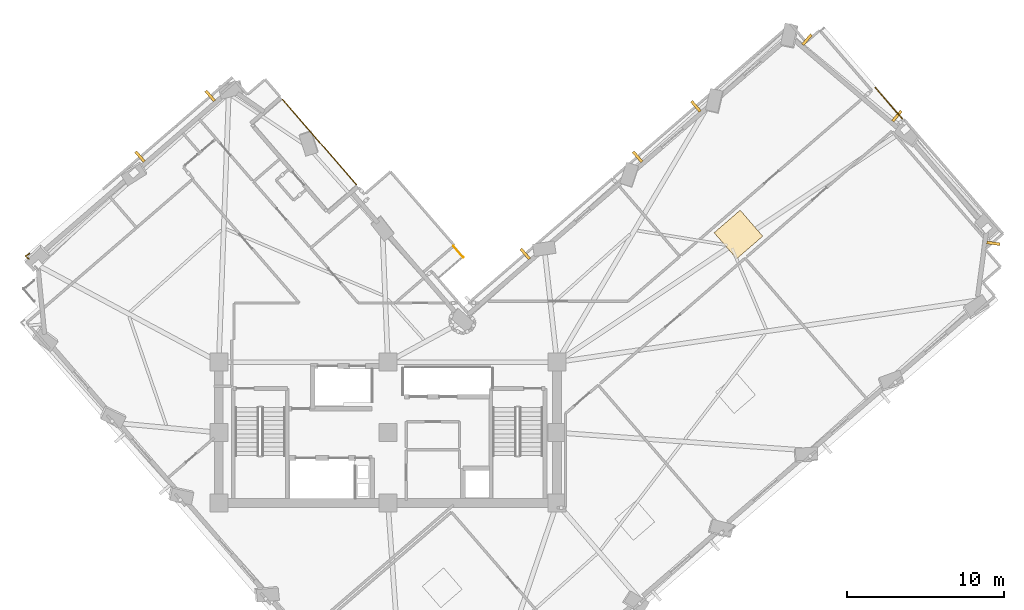
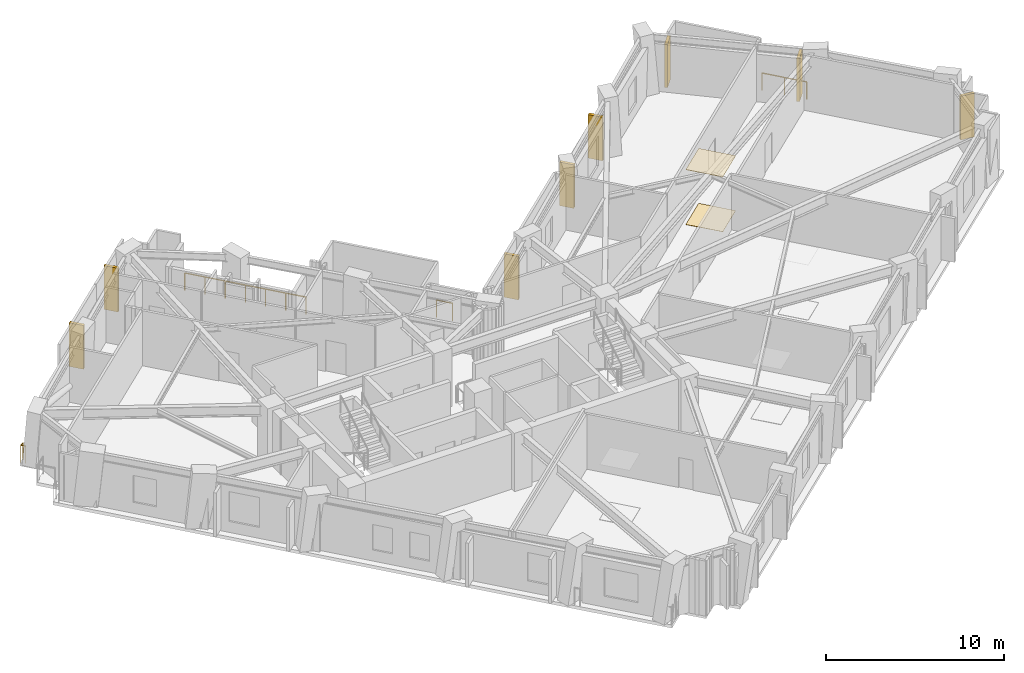
# One storey, part 13 of 14: 8 shading devices, 4 railings, 2 coverings.
"""IFC4 building model written with IfcOpenShell, lengths in metres."""

from ifc_helpers import new_model, si_unit, direction, frame, origin, origin_2d, place, context, subcontext, project, spatial, rectangle, circle, extrude, material, layer, layer_set, type_object, element, save


model = new_model("IFC4")

# Units and contexts
model_context = context("Model", 3, precision=1e-05, world=origin(), true_north=direction((0.0, 1.0)))
body_context = subcontext(model_context, "Body", "Model", "MODEL_VIEW")
ifc_project = project(units=[si_unit("LENGTHUNIT", "METRE"), si_unit("AREAUNIT", "SQUARE_METRE"), si_unit("VOLUMEUNIT", "CUBIC_METRE"), si_unit("PLANEANGLEUNIT", "RADIAN"), si_unit("MASSUNIT", "GRAM", prefix="KILO")], contexts=[model_context])

# Site, building, storey
site_placement = place(None, origin())
site = spatial("IfcSite", under=ifc_project, at=site_placement, CompositionType="ELEMENT")
building_placement = place(site_placement, origin())
building = spatial("IfcBuilding", under=site, at=building_placement, Name="Gaonmaruhae Medical Tower", CompositionType="ELEMENT")
storey_placement = place(building_placement, frame((0.0, 0.0, 197.800048828125)))
storey = spatial("IfcBuildingStorey", under=building, at=storey_placement, Name="L47", CompositionType="ELEMENT", Elevation=197.800048828125)

# Coverings
ifc_material_1 = material(Name="Acoustic mineral ceiling tile", Category="finish")
ifc_layer_1 = layer(ifc_material_1, 0.02490234375)
ifc_layer_set_1 = layer_set([ifc_layer_1], Name="Acoustic mineral ceiling tile")
covering_type_1 = type_object("IfcCoveringType", Name="CLG-01 Antimicrobial Acoustic Mineral Ceiling", PredefinedType="CEILING", material=ifc_layer_set_1)
covering_1_placement = place(storey_placement, frame((47.1923828125, 24.95263671875, 3.7548828125), z_axis=(0.0, 0.0, 1.0), x_axis=(0.756424550435, 0.654080957909, 0.0)))
element("IfcCovering", 1, at=covering_1_placement, inside=storey, type_object=covering_type_1, Name="L47 Clinical Corridor Acoustic Ceiling", PredefinedType="CEILING", context=body_context, shape_type="SweptSolid", body=[
    extrude(rectangle(XDim=2.199951171875, YDim=2.199951171875, at=origin_2d()), origin(), (0.0, 0.0, 1.0), 0.02490234375),
])
ifc_material_2 = material(Name="Seamless clinical vinyl flooring", Category="finish")
ifc_layer_2 = layer(ifc_material_2, 0.014892578125)
ifc_layer_set_2 = layer_set([ifc_layer_2], Name="Seamless clinical vinyl flooring")
covering_type_2 = type_object("IfcCoveringType", Name="FLR-01 Seamless Clinical Antistatic Vinyl Flooring", PredefinedType="FLOORING", material=ifc_layer_set_2)
covering_2_placement = place(storey_placement, frame((47.1923828125, 24.95263671875, 0.00048828125), z_axis=(0.0, 0.0, 1.0), x_axis=(0.756424550435, 0.654080957909, 0.0)))
element("IfcCovering", 2, at=covering_2_placement, inside=storey, type_object=covering_type_2, Name="L47 Clinical Corridor Vinyl Flooring", PredefinedType="FLOORING", context=body_context, shape_type="SweptSolid", body=[
    extrude(rectangle(XDim=2.199951171875, YDim=2.199951171875, at=origin_2d()), origin(), (0.0, 0.0, 1.0), 0.014892578125),
])

# Railings
ifc_material_3 = material(Name="Stainless steel 316L and laminated safety glass", Category="steel")
ifc_layer_3 = layer(ifc_material_3, 0.080078125)
ifc_layer_set_3 = layer_set([ifc_layer_3], Name="Stainless steel 316L and laminated safety glass")
railing_type = type_object("IfcRailingType", Name="GD-120 Outdoor Terrace Safety Glass & Steel Balustrade", PredefinedType="BALUSTRADE", material=ifc_layer_set_3)
railing_1_placement = place(storey_placement, frame((22.7822265625, 28.13720703125, 0.0)))
element("IfcRailing", 3, at=railing_1_placement, inside=storey, type_object=railing_type, Name="L47 Terrace Safety Guard RL-SLB-L47-TER-02", PredefinedType="BALUSTRADE", context=body_context, shape_type="SweptSolid", body=[
    extrude(circle(Radius=0.02392578125, at=origin_2d()), frame((0.0, 0.0, 1.17578125), z_axis=(-0.65406646956, 0.75643707828, 0.0), x_axis=(-0.75643707828, -0.65406646956, 0.0)), (0.0, 0.0, 1.0), 7.199951171875),
    extrude(circle(Radius=0.02099609375, at=origin_2d()), origin(), (0.0, 0.0, 1.0), 1.15185546875),
    extrude(circle(Radius=0.02099609375, at=origin_2d()), frame((-0.784912109375, 0.90771484375, 0.0)), (0.0, 0.0, 1.0), 1.15185546875),
    extrude(circle(Radius=0.02099609375, at=origin_2d()), frame((-1.56982421875, 1.8154296875, 0.0)), (0.0, 0.0, 1.0), 1.15185546875),
    extrude(circle(Radius=0.02099609375, at=origin_2d()), frame((-2.3544921875, 2.72314453125, 0.0)), (0.0, 0.0, 1.0), 1.15185546875),
    extrude(circle(Radius=0.02099609375, at=origin_2d()), frame((-3.139404296875, 3.630859375, 0.0)), (0.0, 0.0, 1.0), 1.15185546875),
    extrude(circle(Radius=0.02099609375, at=origin_2d()), frame((-3.92431640625, 4.53857421875, 0.0)), (0.0, 0.0, 1.0), 1.15185546875),
    extrude(circle(Radius=0.02099609375, at=origin_2d()), frame((-4.709228515625, 5.4462890625, 0.0)), (0.0, 0.0, 1.0), 1.15185546875),
])
railing_2_placement = place(storey_placement, frame((55.935302734375, 34.33251953125, 0.0)))
element("IfcRailing", 4, at=railing_2_placement, inside=storey, type_object=railing_type, Name="L47 Perimeter Slab Edge Safety Balustrade 02", PredefinedType="BALUSTRADE", context=body_context, shape_type="SweptSolid", body=[
    extrude(circle(Radius=0.02392578125, at=origin_2d()), frame((0.0, 0.0, 1.17578125), z_axis=(0.654088074703, -0.756418396479, 0.0), x_axis=(0.756418396479, 0.654088074703, 0.0)), (0.0, 0.0, 1.0), 2.66015625),
    extrude(circle(Radius=0.02099609375, at=origin_2d()), origin(), (0.0, 0.0, 1.0), 1.15185546875),
    extrude(circle(Radius=0.02099609375, at=origin_2d()), frame((0.8701171875, -1.006103515625, 0.0)), (0.0, 0.0, 1.0), 1.15185546875),
    extrude(circle(Radius=0.02099609375, at=origin_2d()), frame((1.739990234375, -2.01220703125, 0.0)), (0.0, 0.0, 1.0), 1.15185546875),
])
railing_3_placement = place(storey_placement, frame((28.985107421875, 24.22021484375, 0.0)))
element("IfcRailing", 5, at=railing_3_placement, inside=storey, type_object=railing_type, Name="L47 Perimeter Slab Edge Safety Balustrade 09", PredefinedType="BALUSTRADE", context=body_context, shape_type="SweptSolid", body=[
    extrude(circle(Radius=0.02392578125, at=origin_2d()), frame((0.0, 0.0, 1.17578125), z_axis=(0.654136203242, -0.756376776222, 0.0), x_axis=(0.756376776222, 0.654136203242, 0.0)), (0.0, 0.0, 1.0), 0.9599609375),
    extrude(circle(Radius=0.02099609375, at=origin_2d()), origin(), (0.0, 0.0, 1.0), 1.15185546875),
    extrude(circle(Radius=0.02099609375, at=origin_2d()), frame((0.6279296875, -0.72607421875, 0.0)), (0.0, 0.0, 1.0), 1.15185546875),
])
railing_4_placement = place(storey_placement, frame((1.8701171875, 23.380126953125, 0.0)))
element("IfcRailing", 6, at=railing_4_placement, inside=storey, type_object=railing_type, Name="L47 Perimeter Corner Safety Balustrade 13", PredefinedType="BALUSTRADE", context=body_context, shape_type="SweptSolid", body=[
    extrude(circle(Radius=0.02392578125, at=origin_2d()), frame((0.0, 0.0, 1.17578125), z_axis=(-0.741092664206, 0.67140275771, 0.0), x_axis=(-0.67140275771, -0.741092664206, 0.0)), (0.0, 0.0, 1.0), 0.287353515625),
    extrude(circle(Radius=0.02392578125, at=origin_2d()), frame((-0.212890625, 0.19287109375, 1.17578125), z_axis=(0.830344853454, 0.557249876037, 0.0), x_axis=(-0.557249876037, 0.830344853454, 0.0)), (0.0, 0.0, 1.0), 0.286865234375),
    extrude(circle(Radius=0.02099609375, at=origin_2d()), origin(), (0.0, 0.0, 1.0), 1.15185546875),
    extrude(circle(Radius=0.02099609375, at=origin_2d()), frame((-0.212890625, 0.19287109375, 0.0)), (0.0, 0.0, 1.0), 1.15185546875),
    extrude(circle(Radius=0.02099609375, at=origin_2d()), frame((0.025390625, 0.352783203125, 0.0)), (0.0, 0.0, 1.0), 1.15185546875),
])

# Shading devices
ifc_material_4 = material(Name="Pigmented coral precast concrete C45/55", Category="concrete")
shading_device_type = type_object("IfcShadingDeviceType", Name="SD-FIN1 Tower Vertical Coral Precast Shading Fin", PredefinedType="USERDEFINED", material=ifc_material_4)
for number, where, z_axis, x_axis, name in (
    (7, (63.4814453125, 24.387939453125, 0.132568359375), (0.0, 0.0, 1.0), (-0.134038072994, -0.990976182856, 0.0), "L47 Vertical Coral Precast Shading Fin S07"),
    (8, (51.57568359375, 37.39794921875, 0.132568359375), (0.0, 0.0, 1.0), (0.761990594967, -0.64758808913, 0.0), "L47 Vertical Coral Precast Shading Fin E02"),
    (9, (57.3193359375, 32.5166015625, 0.132568359375), (0.0, 0.0, 1.0), (0.761990594967, -0.64758808913, 0.0), "L47 Vertical Coral Precast Shading Fin E02B"),
):
    element("IfcShadingDevice", number, at=place(storey_placement, frame(where, z_axis=z_axis, x_axis=x_axis)), inside=storey, type_object=shading_device_type, Name=name, ObjectType="FIN", PredefinedType="USERDEFINED", context=body_context, shape_type="SweptSolid", body=[
        extrude(rectangle(XDim=0.179931640625, YDim=0.85009765625, at=origin_2d()), origin(), (0.0, 0.0, 1.0), 3.0),
    ])
for number, where, z_axis, x_axis, name in (
    (10, (40.747314453125, 29.916259765625, 0.0400390625), (0.0, 0.0, 1.0), (0.756424550435, 0.654080957909, 0.0), "L47 Vertical Coral Precast Shading Fin EN01"),
    (11, (44.473876953125, 33.138427734375, 0.0400390625), (0.0, 0.0, 1.0), (0.756424550435, 0.654080957909, 0.0), "L47 Vertical Coral Precast Shading Fin EN01B"),
    (12, (33.570556640625, 23.710205078125, 0.0400390625), (0.0, 0.0, 1.0), (0.756424550435, 0.654080957909, 0.0), "L47 Vertical Coral Precast Shading Fin EN03B"),
):
    element("IfcShadingDevice", number, at=place(storey_placement, frame(where, z_axis=z_axis, x_axis=x_axis)), inside=storey, type_object=shading_device_type, Name=name, ObjectType="FIN", PredefinedType="USERDEFINED", context=body_context, shape_type="SweptSolid", body=[
        extrude(rectangle(XDim=0.179931640625, YDim=0.85009765625, at=origin_2d()), origin(), (0.0, 0.0, 1.0), 2.985107421875),
    ])
for number, where, z_axis, x_axis, name in (
    (13, (8.961181640625, 29.928466796875, 0.132568359375), (0.0, 0.0, 1.0), (0.756424550435, 0.654080957909, 0.0), "L47 Vertical Coral Precast Shading Fin N01"),
    (14, (13.447509765625, 33.8076171875, 0.132568359375), (0.0, 0.0, 1.0), (0.756424550435, 0.654080957909, 0.0), "L47 Vertical Coral Precast Shading Fin N01B"),
):
    element("IfcShadingDevice", number, at=place(storey_placement, frame(where, z_axis=z_axis, x_axis=x_axis)), inside=storey, type_object=shading_device_type, Name=name, ObjectType="FIN", PredefinedType="USERDEFINED", context=body_context, shape_type="SweptSolid", body=[
        extrude(rectangle(XDim=0.179931640625, YDim=0.85009765625, at=origin_2d()), origin(), (0.0, 0.0, 1.0), 3.0),
    ])

save(model, "model.ifc")
